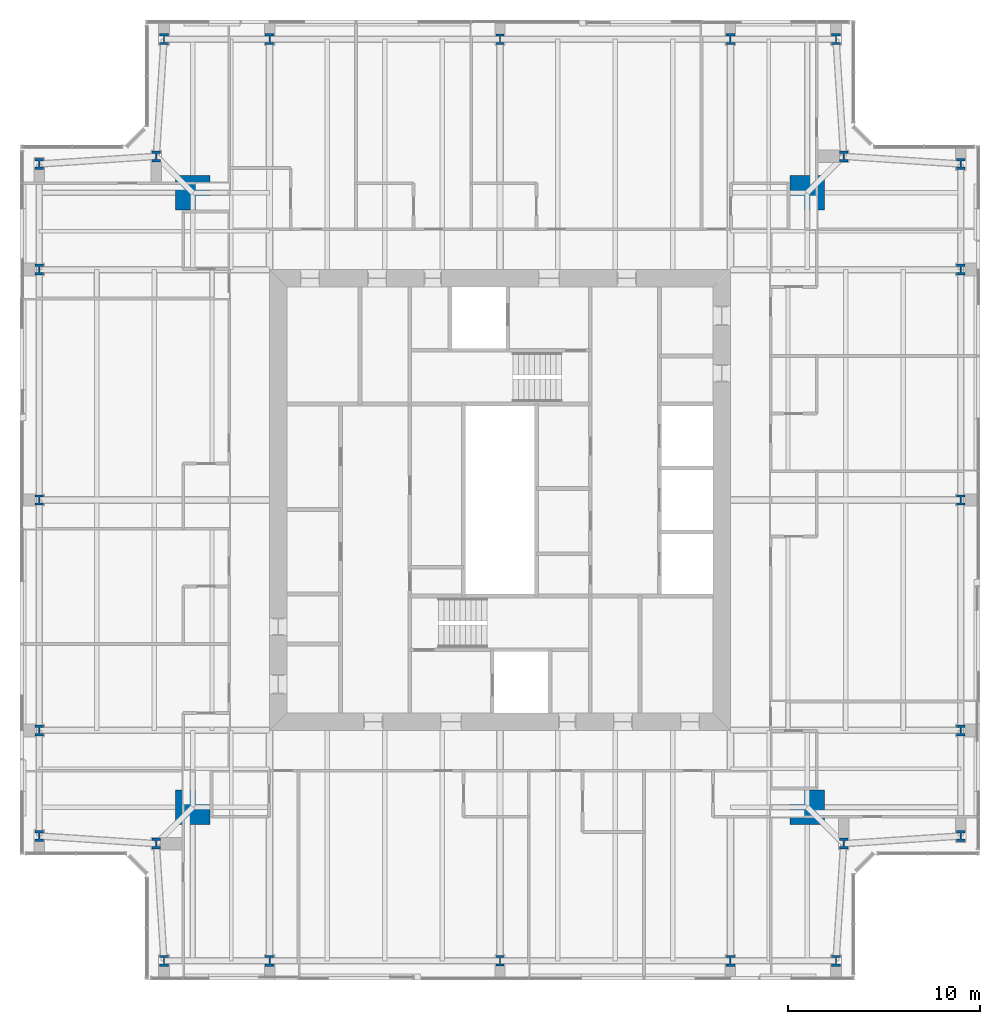
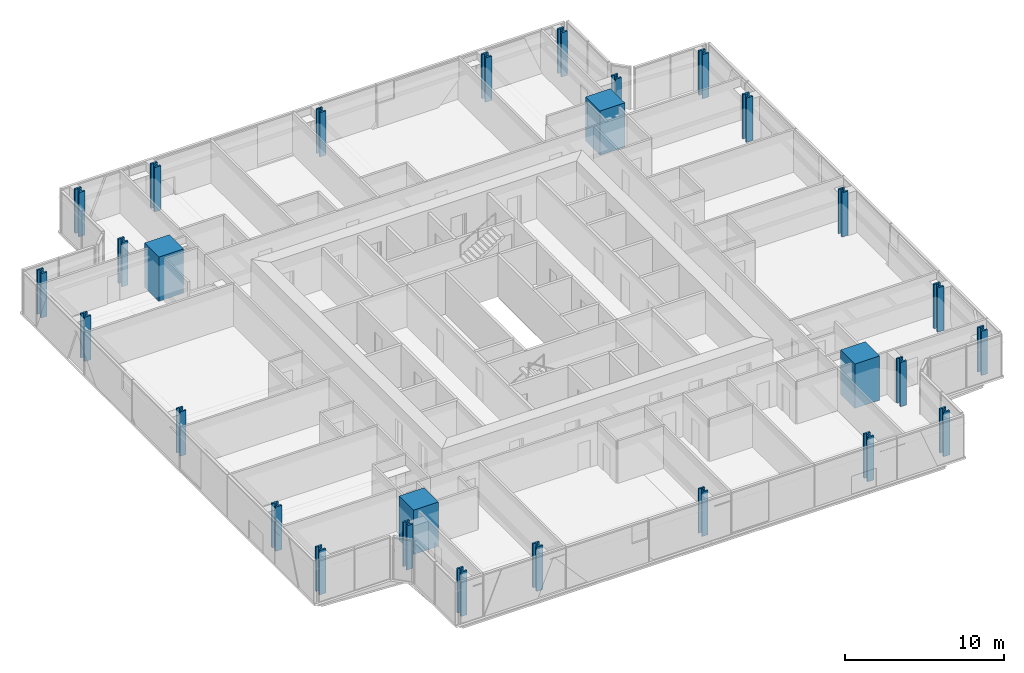
# One storey, part 1 of 18: 28 columns.
"""IFC4 building model written with IfcOpenShell, lengths in metres."""

from ifc_helpers import new_model, si_unit, direction, frame, origin, origin_2d, place, context, subcontext, project, spatial, rectangle, i_section, extrude, material, material_profile, profile_set, type_object, element, save


model = new_model("IFC4")

# Units and contexts
model_context = context("Model", 3, precision=1e-05, world=origin(), true_north=direction((0.0, 1.0)))
body_context = subcontext(model_context, "Body", "Model", "MODEL_VIEW")
ifc_project = project(units=[si_unit("LENGTHUNIT", "METRE"), si_unit("AREAUNIT", "SQUARE_METRE"), si_unit("VOLUMEUNIT", "CUBIC_METRE"), si_unit("PLANEANGLEUNIT", "RADIAN"), si_unit("MASSUNIT", "GRAM", prefix="KILO")], contexts=[model_context])

# Site, building, storey
site_placement = place(None, origin())
site = spatial("IfcSite", under=ifc_project, at=site_placement, CompositionType="ELEMENT")
building_placement = place(site_placement, origin())
building = spatial("IfcBuilding", under=site, at=building_placement, Name="Fenwick Lantern Interchange", CompositionType="ELEMENT")
storey_placement = place(building_placement, frame((0.0, 0.0, 262.800048828125)))
storey = spatial("IfcBuildingStorey", under=building, at=storey_placement, Name="L62", CompositionType="ELEMENT", Elevation=262.800048828125)

# Columns
ifc_material_1 = material(Name="Concrete f'c 70 MPa", Category="concrete")
ifc_material_profile_1 = material_profile(ifc_material_1, rectangle(XDim=1.800048828125, YDim=1.800048828125, at=origin_2d()), Name="RC1800X1800")
ifc_profile_set_1 = profile_set([ifc_material_profile_1], Name="Concrete f'c 70 MPa")
column_type_1 = type_object("IfcColumnType", Name="MEGA COLUMN RC1800X1800", PredefinedType="COLUMN", material=ifc_profile_set_1)
for number, where, z_axis, x_axis, name in (
    (1, (9.0, 9.0, 0.0), (0.0, 0.0, 1.0), (1.0, 0.0, 0.0), "L62/M1"),
    (2, (41.0, 9.0, 0.0), (0.0, 0.0, 1.0), (1.0, 0.0, 0.0), "L62/M2"),
    (3, (41.0, 41.0, 0.0), (0.0, 0.0, 1.0), (1.0, 0.0, 0.0), "L62/M3"),
    (4, (9.0, 41.0, 0.0), (0.0, 0.0, 1.0), (1.0, 0.0, 0.0), "L62/M4"),
):
    element("IfcColumn", number, at=place(storey_placement, frame(where, z_axis=z_axis, x_axis=x_axis)), inside=storey, type_object=column_type_1, Name=name, PredefinedType="COLUMN", context=body_context, shape_type="SweptSolid", body=[
        extrude(rectangle(XDim=1.800048828125, YDim=1.800048828125, at=origin_2d()), origin(), (0.0, 0.0, 1.0), 3.39990234375),
    ])
ifc_material_2 = material(Name="Steel ASTM A992 Grade 50", Category="steel")
ifc_material_profile_2 = material_profile(ifc_material_2, i_section(OverallWidth=0.44189453125, OverallDepth=0.53076171875, WebThickness=0.06591796875, FlangeThickness=0.105712890625, at=origin_2d()), Name="W14X605")
ifc_profile_set_2 = profile_set([ifc_material_profile_2], Name="Steel ASTM A992 Grade 50")
column_type_2 = type_object("IfcColumnType", Name="PERIMETER COLUMN W14X605", PredefinedType="COLUMN", material=ifc_profile_set_2)
for number, where, z_axis, x_axis, name in (
    (5, (25.0, 1.0, 0.0), (0.0, 0.0, 1.0), (1.0, 0.0, 0.0), "L62/CS3"),
    (6, (49.0, 25.0, 0.0), (0.0, 0.0, 1.0), (1.0, 0.0, 0.0), "L62/CE3"),
    (7, (25.0, 49.0, 0.0), (0.0, 0.0, 1.0), (1.0, 0.0, 0.0), "L62/CN3"),
    (8, (1.0, 25.0, 0.0), (0.0, 0.0, 1.0), (1.0, 0.0, 0.0), "L62/CW3"),
):
    element("IfcColumn", number, at=place(storey_placement, frame(where, z_axis=z_axis, x_axis=x_axis)), inside=storey, type_object=column_type_2, Name=name, PredefinedType="COLUMN", context=body_context, shape_type="SweptSolid", body=[
        extrude(i_section(OverallWidth=0.44189453125, OverallDepth=0.53076171875, WebThickness=0.06591796875, FlangeThickness=0.105712890625, at=origin_2d()), origin(), (0.0, 0.0, 1.0), 3.39990234375),
    ])
ifc_material_profile_3 = material_profile(ifc_material_2, i_section(OverallWidth=0.45458984375, OverallDepth=0.56884765625, WebThickness=0.077880859375, FlangeThickness=0.124755859375, at=origin_2d()), Name="W14X730")
ifc_profile_set_3 = profile_set([ifc_material_profile_3], Name="Steel ASTM A992 Grade 50")
column_type_3 = type_object("IfcColumnType", Name="PERIMETER COLUMN W14X730", PredefinedType="COLUMN", material=ifc_profile_set_3)
for number, where, z_axis, x_axis, name in (
    (9, (7.5, 1.0, 0.0), (0.0, 0.0, 1.0), (1.0, 0.0, 0.0), "L62/CS1"),
    (10, (13.0, 1.0, 0.0), (0.0, 0.0, 1.0), (1.0, 0.0, 0.0), "L62/CS2"),
    (11, (37.0, 1.0, 0.0), (0.0, 0.0, 1.0), (1.0, 0.0, 0.0), "L62/CS4"),
    (12, (42.5, 1.0, 0.0), (0.0, 0.0, 1.0), (1.0, 0.0, 0.0), "L62/CS5"),
    (13, (42.89990234375, 7.10009765625, 0.0), (0.0, 0.0, 1.0), (1.0, 0.0, 0.0), "L62/CSR"),
    (14, (49.0, 7.5, 0.0), (0.0, 0.0, 1.0), (1.0, 0.0, 0.0), "L62/CE1"),
    (15, (49.0, 13.0, 0.0), (0.0, 0.0, 1.0), (1.0, 0.0, 0.0), "L62/CE2"),
    (16, (49.0, 37.0, 0.0), (0.0, 0.0, 1.0), (1.0, 0.0, 0.0), "L62/CE4"),
    (17, (49.0, 42.5, 0.0), (0.0, 0.0, 1.0), (1.0, 0.0, 0.0), "L62/CE5"),
    (18, (42.89990234375, 42.89990234375, 0.0), (0.0, 0.0, 1.0), (1.0, 0.0, 0.0), "L62/CER"),
    (19, (42.5, 49.0, 0.0), (0.0, 0.0, 1.0), (1.0, 0.0, 0.0), "L62/CN1"),
    (20, (37.0, 49.0, 0.0), (0.0, 0.0, 1.0), (1.0, 0.0, 0.0), "L62/CN2"),
    (21, (13.0, 49.0, 0.0), (0.0, 0.0, 1.0), (1.0, 0.0, 0.0), "L62/CN4"),
    (22, (7.5, 49.0, 0.0), (0.0, 0.0, 1.0), (1.0, 0.0, 0.0), "L62/CN5"),
    (23, (7.10009765625, 42.89990234375, 0.0), (0.0, 0.0, 1.0), (1.0, 0.0, 0.0), "L62/CNR"),
    (24, (1.0, 42.5, 0.0), (0.0, 0.0, 1.0), (1.0, 0.0, 0.0), "L62/CW1"),
    (25, (1.0, 37.0, 0.0), (0.0, 0.0, 1.0), (1.0, 0.0, 0.0), "L62/CW2"),
    (26, (1.0, 13.0, 0.0), (0.0, 0.0, 1.0), (1.0, 0.0, 0.0), "L62/CW4"),
    (27, (1.0, 7.5, 0.0), (0.0, 0.0, 1.0), (1.0, 0.0, 0.0), "L62/CW5"),
    (28, (7.10009765625, 7.10009765625, 0.0), (0.0, 0.0, 1.0), (1.0, 0.0, 0.0), "L62/CWR"),
):
    element("IfcColumn", number, at=place(storey_placement, frame(where, z_axis=z_axis, x_axis=x_axis)), inside=storey, type_object=column_type_3, Name=name, PredefinedType="COLUMN", context=body_context, shape_type="SweptSolid", body=[
        extrude(i_section(OverallWidth=0.45458984375, OverallDepth=0.56884765625, WebThickness=0.077880859375, FlangeThickness=0.124755859375, at=origin_2d()), origin(), (0.0, 0.0, 1.0), 3.39990234375),
    ])

save(model, "model.ifc")
